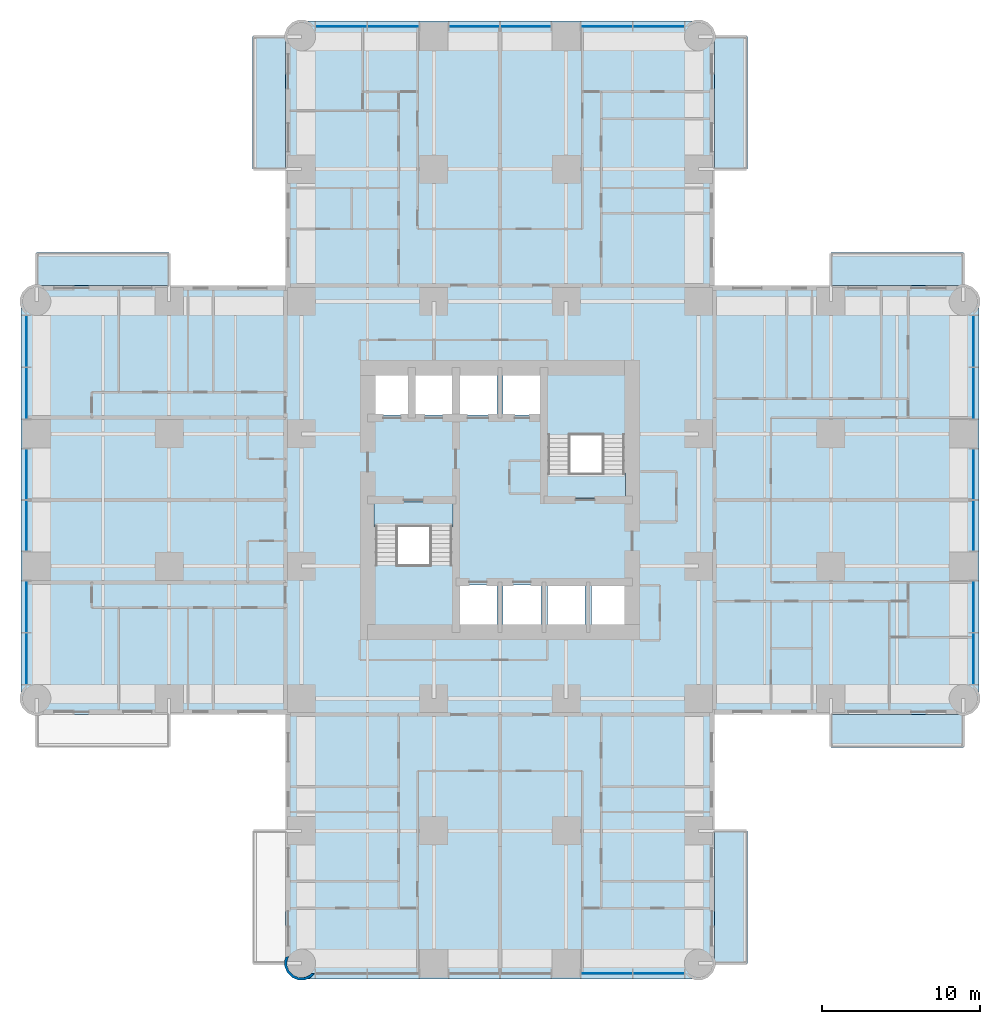
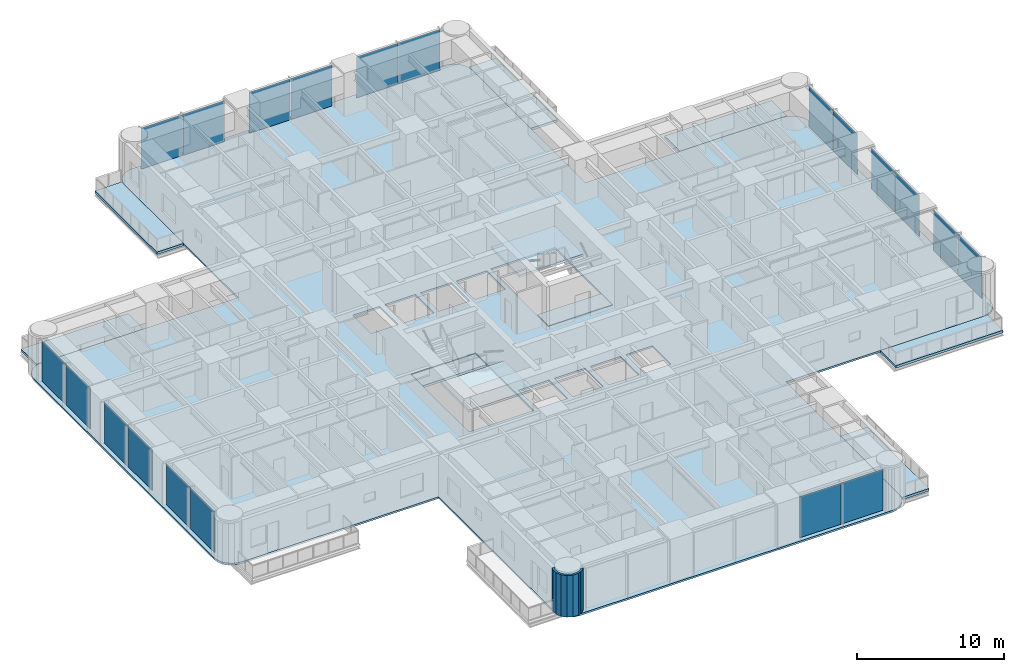
# One storey, part 6 of 17: 20 plates, 11 slabs, 1 wall, 6 elements without a shape of their own.
"""IFC4 building model written with IfcOpenShell, lengths in metres."""

from ifc_helpers import new_model, si_unit, direction, frame, origin, origin_2d, place, context, subcontext, project, spatial, polyline, rectangle, outline, extrude, material, layer, layer_set, type_object, element, aggregate, save


model = new_model("IFC4")

# Units and contexts
model_context = context("Model", 3, precision=1e-05, world=origin(), true_north=direction((0.0, 1.0)))
body_context = subcontext(model_context, "Body", "Model", "MODEL_VIEW")
ifc_project = project(units=[si_unit("LENGTHUNIT", "METRE"), si_unit("AREAUNIT", "SQUARE_METRE"), si_unit("VOLUMEUNIT", "CUBIC_METRE"), si_unit("PLANEANGLEUNIT", "RADIAN"), si_unit("MASSUNIT", "GRAM", prefix="KILO")], contexts=[model_context])

# Site, building, storey
site_placement = place(None, origin())
site = spatial("IfcSite", under=ifc_project, at=site_placement, CompositionType="ELEMENT")
building_placement = place(site_placement, origin())
building = spatial("IfcBuilding", under=site, at=building_placement, Name="Torre Alcanfor", CompositionType="ELEMENT")
storey_placement = place(building_placement, frame((0.0, 0.0, 77.699951171875)))
storey = spatial("IfcBuildingStorey", under=building, at=storey_placement, Name="L19", CompositionType="ELEMENT", Elevation=77.699951171875)

# Slabs
ifc_material_1 = material(Name="Concrete f'c 35 MPa", Category="concrete")
ifc_layer_1 = layer(ifc_material_1, 0.199951171875)
ifc_layer_set_1 = layer_set([ifc_layer_1], Name="Balcony slab 200")
slab_type_1 = type_object("IfcSlabType", Name="Balcony slab 200", PredefinedType="FLOOR", material=ifc_layer_set_1)
slab_1_placement = place(storey_placement, frame((0.0, 0.0, -0.199951171875)))
element("IfcSlab", 1, at=slab_1_placement, inside=storey, type_object=slab_type_1, Name="Balcony L19-N1", PredefinedType="FLOOR", context=body_context, shape_type="SweptSolid", body=[
    extrude(outline(polyline([(15.800048828125, 50.39990234375), (15.800048828125, 58.800048828125), (13.699951171875, 58.800048828125), (13.699951171875, 50.39990234375), (15.800048828125, 50.39990234375)])), origin(), (0.0, 0.0, 1.0), 0.199951171875),
])
slab_2_placement = place(storey_placement, frame((0.0, 0.0, -0.199951171875)))
element("IfcSlab", 2, at=slab_2_placement, inside=storey, type_object=slab_type_1, Name="Balcony L19-N2", PredefinedType="FLOOR", context=body_context, shape_type="SweptSolid", body=[
    extrude(outline(polyline([(45.10009765625, 50.39990234375), (45.10009765625, 58.800048828125), (43.0, 58.800048828125), (43.0, 50.39990234375), (45.10009765625, 50.39990234375)])), origin(), (0.0, 0.0, 1.0), 0.199951171875),
])
slab_3_placement = place(storey_placement, frame((0.0, 0.0, -0.199951171875)))
element("IfcSlab", 3, at=slab_3_placement, inside=storey, type_object=slab_type_1, Name="Balcony L19-E1", PredefinedType="FLOOR", context=body_context, shape_type="SweptSolid", body=[
    extrude(outline(polyline([(50.39990234375, 43.0), (58.800048828125, 43.0), (58.800048828125, 45.10009765625), (50.39990234375, 45.10009765625), (50.39990234375, 43.0)])), origin(), (0.0, 0.0, 1.0), 0.199951171875),
])
slab_4_placement = place(storey_placement, frame((0.0, 0.0, -0.199951171875)))
element("IfcSlab", 4, at=slab_4_placement, inside=storey, type_object=slab_type_1, Name="Balcony L19-E2", PredefinedType="FLOOR", context=body_context, shape_type="SweptSolid", body=[
    extrude(outline(polyline([(50.39990234375, 13.699951171875), (58.800048828125, 13.699951171875), (58.800048828125, 15.800048828125), (50.39990234375, 15.800048828125), (50.39990234375, 13.699951171875)])), origin(), (0.0, 0.0, 1.0), 0.199951171875),
])
slab_5_placement = place(storey_placement, frame((0.0, 0.0, -0.199951171875)))
element("IfcSlab", 5, at=slab_5_placement, inside=storey, type_object=slab_type_1, Name="Balcony L19-S1", PredefinedType="FLOOR", context=body_context, shape_type="SweptSolid", body=[
    extrude(outline(polyline([(43.0, 8.39990234375), (43.0, 0.0), (45.10009765625, 0.0), (45.10009765625, 8.39990234375), (43.0, 8.39990234375)])), origin(), (0.0, 0.0, 1.0), 0.199951171875),
])
slab_6_placement = place(storey_placement, frame((0.0, 0.0, -0.199951171875)))
element("IfcSlab", 6, at=slab_6_placement, inside=storey, type_object=slab_type_1, Name="Balcony L19-W2", PredefinedType="FLOOR", context=body_context, shape_type="SweptSolid", body=[
    extrude(outline(polyline([(8.39990234375, 45.10009765625), (0.0, 45.10009765625), (0.0, 43.0), (8.39990234375, 43.0), (8.39990234375, 45.10009765625)])), origin(), (0.0, 0.0, 1.0), 0.199951171875),
])

# Curtain wall, plates
ifc_material_2 = material(Name="Aluminium and glass", Category="aluminium")
curtain_wall_type = type_object("IfcCurtainWallType", Name="CW-A unitised apartment glazing with vertical FIN", PredefinedType="NOTDEFINED", material=ifc_material_2)
curtain_wall_1_placement = place(storey_placement, origin())
curtain_wall_1 = element("IfcCurtainWall", 7, at=curtain_wall_1_placement, inside=storey, type_object=curtain_wall_type, Name="Curtain wall CW-A L19 2", PredefinedType="NOTDEFINED")
ifc_material_3 = material(Name="Glass", Category="glass")
ifc_layer_2 = layer(ifc_material_3, 0.028076171875)
ifc_layer_set_2 = layer_set([ifc_layer_2], Name="CW-A clear double glazed unit")
plate_type = type_object("IfcPlateType", Name="CW-A clear double glazed unit", PredefinedType="CURTAIN_PANEL", material=ifc_layer_set_2)
plate_1_placement = place(storey_placement, frame((-0.64990234375, 39.484130859375, 0.0), z_axis=(0.0, 0.0, 1.0), x_axis=(0.0, -1.0, 0.0)))
plate_1 = element("IfcPlate", 8, at=plate_1_placement, type_object=plate_type, Name="CW-A panel 1.1.1", PredefinedType="CURTAIN_PANEL", context=body_context, shape_type="SweptSolid", body=[
    extrude(rectangle(XDim=3.232666015625, YDim=0.028076171875, at=origin_2d()), origin(), (0.0, 0.0, 1.0), 3.385009765625),
])
plate_2_placement = place(storey_placement, frame((-0.64990234375, 36.186279296875, 0.0), z_axis=(0.0, 0.0, 1.0), x_axis=(0.0, -1.0, 0.0)))
plate_2 = element("IfcPlate", 9, at=plate_2_placement, type_object=plate_type, Name="CW-A panel 1.2.1", PredefinedType="CURTAIN_PANEL", context=body_context, shape_type="SweptSolid", body=[
    extrude(rectangle(XDim=3.232666015625, YDim=0.028076171875, at=origin_2d()), origin(), (0.0, 0.0, 1.0), 3.385009765625),
])
plate_3_placement = place(storey_placement, frame((-0.64990234375, 31.03125, 0.0), z_axis=(0.0, 0.0, 1.0), x_axis=(0.0, -1.0, 0.0)))
plate_3 = element("IfcPlate", 10, at=plate_3_placement, type_object=plate_type, Name="CW-A panel 2.1.1", PredefinedType="CURTAIN_PANEL", context=body_context, shape_type="SweptSolid", body=[
    extrude(rectangle(XDim=3.197509765625, YDim=0.028076171875, at=origin_2d()), origin(), (0.0, 0.0, 1.0), 3.385009765625),
])
plate_4_placement = place(storey_placement, frame((-0.64990234375, 27.768798828125, 0.0), z_axis=(0.0, 0.0, 1.0), x_axis=(0.0, -1.0, 0.0)))
plate_4 = element("IfcPlate", 11, at=plate_4_placement, type_object=plate_type, Name="CW-A panel 2.2.1", PredefinedType="CURTAIN_PANEL", context=body_context, shape_type="SweptSolid", body=[
    extrude(rectangle(XDim=3.197509765625, YDim=0.028076171875, at=origin_2d()), origin(), (0.0, 0.0, 1.0), 3.385009765625),
])
plate_5_placement = place(storey_placement, frame((-0.64990234375, 22.613525390625, 0.0), z_axis=(0.0, 0.0, 1.0), x_axis=(0.0, -1.0, 0.0)))
plate_5 = element("IfcPlate", 12, at=plate_5_placement, type_object=plate_type, Name="CW-A panel 3.1.1", PredefinedType="CURTAIN_PANEL", context=body_context, shape_type="SweptSolid", body=[
    extrude(rectangle(XDim=3.232666015625, YDim=0.028076171875, at=origin_2d()), origin(), (0.0, 0.0, 1.0), 3.385009765625),
])
plate_6_placement = place(storey_placement, frame((-0.64990234375, 19.31591796875, 0.0), z_axis=(0.0, 0.0, 1.0), x_axis=(0.0, -1.0, 0.0)))
plate_6 = element("IfcPlate", 13, at=plate_6_placement, type_object=plate_type, Name="CW-A panel 3.2.1", PredefinedType="CURTAIN_PANEL", context=body_context, shape_type="SweptSolid", body=[
    extrude(rectangle(XDim=3.232666015625, YDim=0.028076171875, at=origin_2d()), origin(), (0.0, 0.0, 1.0), 3.385009765625),
])
aggregate(curtain_wall_1, [plate_1, plate_2, plate_3, plate_4, plate_5, plate_6])

curtain_wall_2_placement = place(storey_placement, origin())
curtain_wall_2 = element("IfcCurtainWall", 14, at=curtain_wall_2_placement, inside=storey, type_object=curtain_wall_type, Name="Curtain wall CW-A L19 5", PredefinedType="NOTDEFINED")
plate_7_placement = place(storey_placement, frame((36.186279296875, -0.64990234375, 0.0), z_axis=(0.0, 0.0, 1.0), x_axis=(1.0, 0.0, 0.0)))
plate_7 = element("IfcPlate", 15, at=plate_7_placement, type_object=plate_type, Name="CW-A panel 3.1.1", PredefinedType="CURTAIN_PANEL", context=body_context, shape_type="SweptSolid", body=[
    extrude(rectangle(XDim=3.232666015625, YDim=0.028076171875, at=origin_2d()), origin(), (0.0, 0.0, 1.0), 3.385009765625),
])
plate_8_placement = place(storey_placement, frame((39.484130859375, -0.64990234375, 0.0), z_axis=(0.0, 0.0, 1.0), x_axis=(1.0, 0.0, 0.0)))
plate_8 = element("IfcPlate", 16, at=plate_8_placement, type_object=plate_type, Name="CW-A panel 3.2.1", PredefinedType="CURTAIN_PANEL", context=body_context, shape_type="SweptSolid", body=[
    extrude(rectangle(XDim=3.232666015625, YDim=0.028076171875, at=origin_2d()), origin(), (0.0, 0.0, 1.0), 3.385009765625),
])
aggregate(curtain_wall_2, [plate_7, plate_8])

curtain_wall_3_placement = place(storey_placement, origin())
curtain_wall_3 = element("IfcCurtainWall", 17, at=curtain_wall_3_placement, inside=storey, type_object=curtain_wall_type, Name="Curtain wall CW-A L19 8", PredefinedType="NOTDEFINED")
plate_9_placement = place(storey_placement, frame((59.449951171875, 19.31591796875, 0.0), z_axis=(0.0, 0.0, 1.0), x_axis=(0.0, 1.0, 0.0)))
plate_9 = element("IfcPlate", 18, at=plate_9_placement, type_object=plate_type, Name="CW-A panel 1.1.1", PredefinedType="CURTAIN_PANEL", context=body_context, shape_type="SweptSolid", body=[
    extrude(rectangle(XDim=3.232666015625, YDim=0.028076171875, at=origin_2d()), origin(), (0.0, 0.0, 1.0), 3.385009765625),
])
plate_10_placement = place(storey_placement, frame((59.449951171875, 22.613525390625, 0.0), z_axis=(0.0, 0.0, 1.0), x_axis=(0.0, 1.0, 0.0)))
plate_10 = element("IfcPlate", 19, at=plate_10_placement, type_object=plate_type, Name="CW-A panel 1.2.1", PredefinedType="CURTAIN_PANEL", context=body_context, shape_type="SweptSolid", body=[
    extrude(rectangle(XDim=3.232666015625, YDim=0.028076171875, at=origin_2d()), origin(), (0.0, 0.0, 1.0), 3.385009765625),
])
plate_11_placement = place(storey_placement, frame((59.449951171875, 27.768798828125, 0.0), z_axis=(0.0, 0.0, 1.0), x_axis=(0.0, 1.0, 0.0)))
plate_11 = element("IfcPlate", 20, at=plate_11_placement, type_object=plate_type, Name="CW-A panel 2.1.1", PredefinedType="CURTAIN_PANEL", context=body_context, shape_type="SweptSolid", body=[
    extrude(rectangle(XDim=3.197509765625, YDim=0.028076171875, at=origin_2d()), origin(), (0.0, 0.0, 1.0), 3.385009765625),
])
plate_12_placement = place(storey_placement, frame((59.449951171875, 31.03125, 0.0), z_axis=(0.0, 0.0, 1.0), x_axis=(0.0, 1.0, 0.0)))
plate_12 = element("IfcPlate", 21, at=plate_12_placement, type_object=plate_type, Name="CW-A panel 2.2.1", PredefinedType="CURTAIN_PANEL", context=body_context, shape_type="SweptSolid", body=[
    extrude(rectangle(XDim=3.197509765625, YDim=0.028076171875, at=origin_2d()), origin(), (0.0, 0.0, 1.0), 3.385009765625),
])
plate_13_placement = place(storey_placement, frame((59.449951171875, 36.186279296875, 0.0), z_axis=(0.0, 0.0, 1.0), x_axis=(0.0, 1.0, 0.0)))
plate_13 = element("IfcPlate", 22, at=plate_13_placement, type_object=plate_type, Name="CW-A panel 3.1.1", PredefinedType="CURTAIN_PANEL", context=body_context, shape_type="SweptSolid", body=[
    extrude(rectangle(XDim=3.232666015625, YDim=0.028076171875, at=origin_2d()), origin(), (0.0, 0.0, 1.0), 3.385009765625),
])
plate_14_placement = place(storey_placement, frame((59.449951171875, 39.484130859375, 0.0), z_axis=(0.0, 0.0, 1.0), x_axis=(0.0, 1.0, 0.0)))
plate_14 = element("IfcPlate", 23, at=plate_14_placement, type_object=plate_type, Name="CW-A panel 3.2.1", PredefinedType="CURTAIN_PANEL", context=body_context, shape_type="SweptSolid", body=[
    extrude(rectangle(XDim=3.232666015625, YDim=0.028076171875, at=origin_2d()), origin(), (0.0, 0.0, 1.0), 3.385009765625),
])
aggregate(curtain_wall_3, [plate_9, plate_10, plate_11, plate_12, plate_13, plate_14])

curtain_wall_4_placement = place(storey_placement, origin())
curtain_wall_4 = element("IfcCurtainWall", 24, at=curtain_wall_4_placement, inside=storey, type_object=curtain_wall_type, Name="Curtain wall CW-A L19 11", PredefinedType="NOTDEFINED")
plate_15_placement = place(storey_placement, frame((39.484130859375, 59.449951171875, 0.0), z_axis=(0.0, 0.0, 1.0), x_axis=(-1.0, 0.0, 0.0)))
plate_15 = element("IfcPlate", 25, at=plate_15_placement, type_object=plate_type, Name="CW-A panel 1.1.1", PredefinedType="CURTAIN_PANEL", context=body_context, shape_type="SweptSolid", body=[
    extrude(rectangle(XDim=3.232666015625, YDim=0.028076171875, at=origin_2d()), origin(), (0.0, 0.0, 1.0), 3.385009765625),
])
plate_16_placement = place(storey_placement, frame((36.186279296875, 59.449951171875, 0.0), z_axis=(0.0, 0.0, 1.0), x_axis=(-1.0, 0.0, 0.0)))
plate_16 = element("IfcPlate", 26, at=plate_16_placement, type_object=plate_type, Name="CW-A panel 1.2.1", PredefinedType="CURTAIN_PANEL", context=body_context, shape_type="SweptSolid", body=[
    extrude(rectangle(XDim=3.232666015625, YDim=0.028076171875, at=origin_2d()), origin(), (0.0, 0.0, 1.0), 3.385009765625),
])
plate_17_placement = place(storey_placement, frame((31.03125, 59.449951171875, 0.0), z_axis=(0.0, 0.0, 1.0), x_axis=(-1.0, 0.0, 0.0)))
plate_17 = element("IfcPlate", 27, at=plate_17_placement, type_object=plate_type, Name="CW-A panel 2.1.1", PredefinedType="CURTAIN_PANEL", context=body_context, shape_type="SweptSolid", body=[
    extrude(rectangle(XDim=3.197509765625, YDim=0.028076171875, at=origin_2d()), origin(), (0.0, 0.0, 1.0), 3.385009765625),
])
plate_18_placement = place(storey_placement, frame((27.768798828125, 59.449951171875, 0.0), z_axis=(0.0, 0.0, 1.0), x_axis=(-1.0, 0.0, 0.0)))
plate_18 = element("IfcPlate", 28, at=plate_18_placement, type_object=plate_type, Name="CW-A panel 2.2.1", PredefinedType="CURTAIN_PANEL", context=body_context, shape_type="SweptSolid", body=[
    extrude(rectangle(XDim=3.197509765625, YDim=0.028076171875, at=origin_2d()), origin(), (0.0, 0.0, 1.0), 3.385009765625),
])
plate_19_placement = place(storey_placement, frame((22.613525390625, 59.449951171875, 0.0), z_axis=(0.0, 0.0, 1.0), x_axis=(-1.0, 0.0, 0.0)))
plate_19 = element("IfcPlate", 29, at=plate_19_placement, type_object=plate_type, Name="CW-A panel 3.1.1", PredefinedType="CURTAIN_PANEL", context=body_context, shape_type="SweptSolid", body=[
    extrude(rectangle(XDim=3.232666015625, YDim=0.028076171875, at=origin_2d()), origin(), (0.0, 0.0, 1.0), 3.385009765625),
])
plate_20_placement = place(storey_placement, frame((19.31591796875, 59.449951171875, 0.0), z_axis=(0.0, 0.0, 1.0), x_axis=(-1.0, 0.0, 0.0)))
plate_20 = element("IfcPlate", 30, at=plate_20_placement, type_object=plate_type, Name="CW-A panel 3.2.1", PredefinedType="CURTAIN_PANEL", context=body_context, shape_type="SweptSolid", body=[
    extrude(rectangle(XDim=3.232666015625, YDim=0.028076171875, at=origin_2d()), origin(), (0.0, 0.0, 1.0), 3.385009765625),
])
aggregate(curtain_wall_4, [plate_15, plate_16, plate_17, plate_18, plate_19, plate_20])

# Slab
ifc_material_4 = material(Name="Concrete f'c 35 MPa", Category="concrete")
ifc_layer_3 = layer(ifc_material_4, 0.14990234375)
ifc_layer_set_3 = layer_set([ifc_layer_3], Name="Composite floor 150 on metal deck")
slab_type_2 = type_object("IfcSlabType", Name="Composite floor 150 on metal deck", PredefinedType="FLOOR", material=ifc_layer_set_3)
slab_7_placement = place(storey_placement, frame((0.0, 0.0, -0.14990234375)))
element("IfcSlab", 31, at=slab_7_placement, inside=storey, type_object=slab_type_2, Name="Floor slab L19", PredefinedType="FLOOR", context=body_context, shape_type="SweptSolid", body=[
    extrude(outline(polyline([(15.800048828125, 43.0), (0.39990234375, 43.0), (0.03759765625, 42.952392578125), (-0.300048828125, 42.8125), (-0.58984375, 42.58984375), (-0.8125, 42.300048828125), (-0.952392578125, 41.96240234375), (-1.0, 41.60009765625), (-1.0, 17.199951171875), (-0.952392578125, 16.837646484375), (-0.8125, 16.5), (-0.58984375, 16.210205078125), (-0.300048828125, 15.987548828125), (0.03759765625, 15.84765625), (0.39990234375, 15.800048828125), (15.800048828125, 15.800048828125), (15.800048828125, 0.39990234375), (15.84765625, 0.03759765625), (15.987548828125, -0.300048828125), (16.210205078125, -0.58984375), (16.5, -0.8125), (16.837646484375, -0.952392578125), (17.199951171875, -1.0), (41.60009765625, -1.0), (41.96240234375, -0.952392578125), (42.300048828125, -0.8125), (42.58984375, -0.58984375), (42.8125, -0.300048828125), (42.952392578125, 0.03759765625), (43.0, 0.39990234375), (43.0, 15.800048828125), (58.39990234375, 15.800048828125), (58.76220703125, 15.84765625), (59.10009765625, 15.987548828125), (59.389892578125, 16.210205078125), (59.6123046875, 16.5), (59.752197265625, 16.837646484375), (59.800048828125, 17.199951171875), (59.800048828125, 41.60009765625), (59.752197265625, 41.96240234375), (59.6123046875, 42.300048828125), (59.389892578125, 42.58984375), (59.10009765625, 42.8125), (58.76220703125, 42.952392578125), (58.39990234375, 43.0), (43.0, 43.0), (43.0, 58.39990234375), (42.952392578125, 58.76220703125), (42.8125, 59.10009765625), (42.58984375, 59.389892578125), (42.300048828125, 59.6123046875), (41.96240234375, 59.752197265625), (41.60009765625, 59.800048828125), (17.199951171875, 59.800048828125), (16.837646484375, 59.752197265625), (16.5, 59.6123046875), (16.210205078125, 59.389892578125), (15.987548828125, 59.10009765625), (15.84765625, 58.76220703125), (15.800048828125, 58.39990234375), (15.800048828125, 43.0)]), holes=[polyline([(21.419921875, 21.419921875), (26.47998046875, 21.419921875), (26.47998046875, 29.280029296875), (21.419921875, 29.280029296875), (21.419921875, 21.419921875)]), polyline([(32.320068359375, 29.52001953125), (37.3798828125, 29.52001953125), (37.3798828125, 37.3798828125), (32.320068359375, 37.3798828125), (32.320068359375, 29.52001953125)]), polyline([(26.800048828125, 21.5), (29.199951171875, 21.5), (29.199951171875, 24.0), (26.800048828125, 24.0), (26.800048828125, 21.5)]), polyline([(29.60009765625, 21.5), (32.0, 21.5), (32.0, 24.0), (29.60009765625, 24.0), (29.60009765625, 21.5)]), polyline([(32.39990234375, 21.5), (34.800048828125, 21.5), (34.800048828125, 24.0), (32.39990234375, 24.0), (32.39990234375, 21.5)]), polyline([(35.199951171875, 21.5), (37.300048828125, 21.5), (37.300048828125, 24.0), (35.199951171875, 24.0), (35.199951171875, 21.5)]), polyline([(21.5, 34.800048828125), (23.60009765625, 34.800048828125), (23.60009765625, 37.300048828125), (21.5, 37.300048828125), (21.5, 34.800048828125)]), polyline([(24.0, 34.800048828125), (26.39990234375, 34.800048828125), (26.39990234375, 37.300048828125), (24.0, 37.300048828125), (24.0, 34.800048828125)]), polyline([(26.800048828125, 34.800048828125), (29.199951171875, 34.800048828125), (29.199951171875, 37.300048828125), (26.800048828125, 37.300048828125), (26.800048828125, 34.800048828125)]), polyline([(29.60009765625, 34.800048828125), (32.0, 34.800048828125), (32.0, 37.300048828125), (29.60009765625, 37.300048828125), (29.60009765625, 34.800048828125)])]), origin(), (0.0, 0.0, 1.0), 0.14990234375),
])

# Stair, slabs
ifc_material_5 = material(Name="Concrete f'c 35 MPa", Category="concrete")
stair_type_1 = type_object("IfcStairType", Name="Exit stair S1 1400 wide", PredefinedType="HALF_TURN_STAIR", material=ifc_material_5)
stair_1_placement = place(storey_placement, origin())
stair_1 = element("IfcStair", 32, at=stair_1_placement, inside=storey, type_object=stair_type_1, Name="Stair S1 L19 to L20", PredefinedType="HALF_TURN_STAIR")
ifc_material_6 = material(Name="Concrete f'c 35 MPa", Category="concrete")
ifc_layer_4 = layer(ifc_material_6, 0.199951171875)
ifc_layer_set_4 = layer_set([ifc_layer_4], Name="Stair landing 200")
slab_type_3 = type_object("IfcSlabType", Name="Stair landing 200", PredefinedType="LANDING", material=ifc_layer_set_4)
slab_8_placement = place(storey_placement, frame((0.0, 0.0, -0.199951171875)))
slab_8 = element("IfcSlab", 33, at=slab_8_placement, type_object=slab_type_3, Name="S1 landing 1", PredefinedType="LANDING", context=body_context, shape_type="SweptSolid", body=[
    extrude(outline(polyline([(21.419921875, 27.699951171875), (26.429931640625, 27.699951171875), (26.429931640625, 29.22998046875), (21.419921875, 29.22998046875), (21.419921875, 27.699951171875)])), origin(), (0.0, 0.0, 1.0), 0.199951171875),
])
slab_9_placement = place(storey_placement, frame((0.0, 0.0, 1.60009765625)))
slab_9 = element("IfcSlab", 34, at=slab_9_placement, type_object=slab_type_3, Name="S1 landing 2", PredefinedType="LANDING", context=body_context, shape_type="SweptSolid", body=[
    extrude(outline(polyline([(21.419921875, 21.419921875), (26.429931640625, 21.419921875), (26.429931640625, 25.280029296875), (21.419921875, 25.280029296875), (21.419921875, 21.419921875)])), origin(), (0.0, 0.0, 1.0), 0.199951171875),
])
aggregate(stair_1, [slab_8, slab_9])

ifc_material_7 = material(Name="Concrete f'c 35 MPa", Category="concrete")
stair_type_2 = type_object("IfcStairType", Name="Exit stair S2 1400 wide", PredefinedType="HALF_TURN_STAIR", material=ifc_material_7)
stair_2_placement = place(storey_placement, origin())
stair_2 = element("IfcStair", 35, at=stair_2_placement, inside=storey, type_object=stair_type_2, Name="Stair S2 L19 to L20", PredefinedType="HALF_TURN_STAIR")
slab_10_placement = place(storey_placement, frame((0.0, 0.0, -0.199951171875)))
slab_10 = element("IfcSlab", 36, at=slab_10_placement, type_object=slab_type_3, Name="S2 landing 1", PredefinedType="LANDING", context=body_context, shape_type="SweptSolid", body=[
    extrude(outline(polyline([(32.3701171875, 29.570068359375), (37.3798828125, 29.570068359375), (37.3798828125, 31.10009765625), (32.3701171875, 31.10009765625), (32.3701171875, 29.570068359375)])), origin(), (0.0, 0.0, 1.0), 0.199951171875),
])
slab_11_placement = place(storey_placement, frame((0.0, 0.0, 1.60009765625)))
slab_11 = element("IfcSlab", 37, at=slab_11_placement, type_object=slab_type_3, Name="S2 landing 2", PredefinedType="LANDING", context=body_context, shape_type="SweptSolid", body=[
    extrude(outline(polyline([(32.3701171875, 33.52001953125), (37.3798828125, 33.52001953125), (37.3798828125, 37.3798828125), (32.3701171875, 37.3798828125), (32.3701171875, 33.52001953125)])), origin(), (0.0, 0.0, 1.0), 0.199951171875),
])
aggregate(stair_2, [slab_10, slab_11])

# Wall
ifc_material_8 = material(Name="Limestone cladding", Category="masonry")
ifc_layer_5 = layer(ifc_material_8, 0.0400390625, Name="Facing")
ifc_material_9 = material(Name="Ventilated air cavity")
ifc_layer_6 = layer(ifc_material_9, 0.02001953125, ventilated=True, Name="Ventilated joint")
ifc_material_10 = material(Name="Mineral wool insulation", Category="insulation")
ifc_layer_7 = layer(ifc_material_10, 0.10009765625, Name="Insulation")
ifc_material_11 = material(Name="Concrete f'c 35 MPa", Category="concrete")
ifc_layer_8 = layer(ifc_material_11, 0.139892578125, Name="Backing")
ifc_layer_set_5 = layer_set([ifc_layer_5, ifc_layer_6, ifc_layer_7, ifc_layer_8], Name="Rounded corner pier stone-clad 300")
wall_type = type_object("IfcWallType", Name="Rounded corner pier stone-clad 300", PredefinedType="SOLIDWALL", material=ifc_layer_set_5)
wall_placement = place(storey_placement, frame((15.890092843, 0.363962863, 0.0), z_axis=(0.0, 0.0, 1.0), x_axis=(-0.377204953059, -0.926129809145, 0.0)))
element("IfcWall", 38, at=wall_placement, inside=storey, type_object=wall_type, Name="Corner pier L19 15", PredefinedType="SOLIDWALL", context=body_context, shape_type="SweptSolid", body=[
    extrude(outline(polyline([(0.36025406326845444, 1.8033251535395152), (0.5088520451897254, 1.7407402151136773), (0.7605729288027181, 1.4858036812916837), (0.8957625945963965, 1.1538802047718164), (0.8938847377533284, 0.7953914035812757), (0.7547773157275899, 0.46510295554213366), (0.4997067670481534, 0.21306387496571194), (0.16778329052828606, 0.07787420917203358), (-0.09994023900030424, 0.0795504548732244), (0.0006804239564057041, -0.09694899646014049), (0.029999294732247404, -0.08026261581225796), (0.19856690358048068, -0.0812004843578153), (0.5888257049928043, 0.07774867310804906), (0.8888185520201115, 0.37418200048294215), (1.0525847078153452, 0.7630186897929918), (1.0551554850896743, 1.184529802966568), (0.896114236570817, 1.5750147102893275), (0.7776681844062314, 1.6949582431572732), (0.7691216165340404, 1.727592391840862), (0.7502462480266835, 1.7228043636692119), (0.599680909195924, 1.8750075573166347), (0.2945300212676607, 2.0035278056043833), (0.2809636666415082, 1.9980023424248052), (0.36025406326845444, 1.8033251535395152)])), origin(), (0.0, 0.0, 1.0), 3.449951171875),
])

save(model, "model.ifc")
